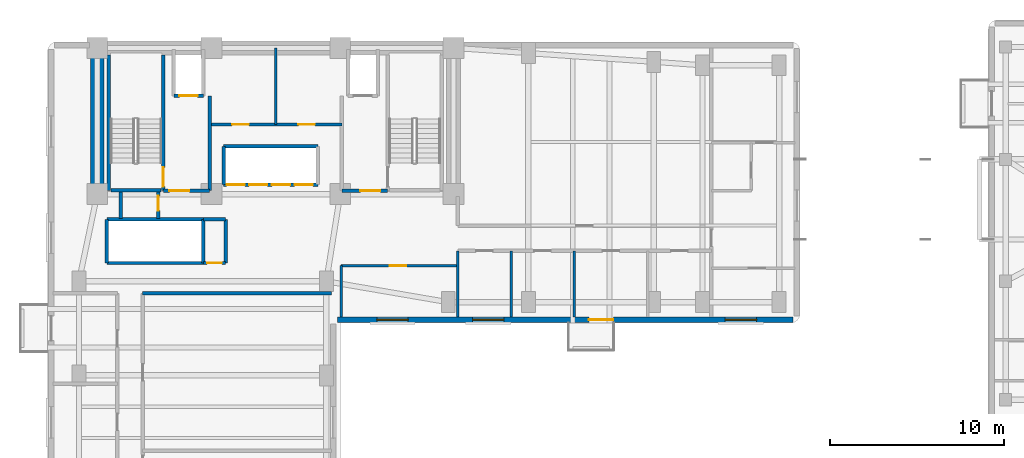
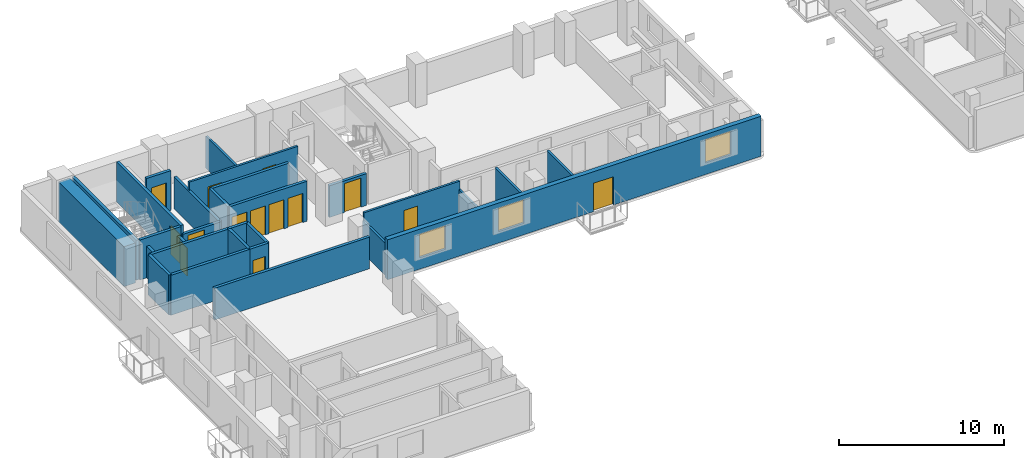
# One storey, part 5 of 11: 29 walls, 14 doors, 3 windows, 17 openings.
"""IFC4 building model written with IfcOpenShell, lengths in metres."""

from ifc_helpers import new_model, si_unit, direction, frame, frame_2d, origin, place, context, subcontext, project, spatial, rectangle, extrude, material, layer, layer_set, type_object, element, fill, save


model = new_model("IFC4")

# Units and contexts
model_context = context("Model", 3, precision=1e-05, world=origin(), true_north=direction((0.0, 1.0)))
body_context = subcontext(model_context, "Body", "Model", "MODEL_VIEW")
ifc_project = project(units=[si_unit("LENGTHUNIT", "METRE"), si_unit("AREAUNIT", "SQUARE_METRE"), si_unit("VOLUMEUNIT", "CUBIC_METRE"), si_unit("PLANEANGLEUNIT", "RADIAN"), si_unit("MASSUNIT", "GRAM", prefix="KILO")], contexts=[model_context])

# Site, building, storey
site_placement = place(None, origin())
site = spatial("IfcSite", under=ifc_project, at=site_placement, CompositionType="ELEMENT")
building_placement = place(site_placement, origin())
building = spatial("IfcBuilding", under=site, at=building_placement, Name="Kuzgunbayir Cultural Tower", CompositionType="ELEMENT")
storey_placement = place(building_placement, frame((0.0, 0.0, 99.39990234375)))
storey = spatial("IfcBuildingStorey", under=building, at=storey_placement, Name="L28", CompositionType="ELEMENT", Elevation=99.39990234375)

# Wall
ifc_material_1 = material(Name="Concrete C60/75", Category="concrete")
ifc_layer_1 = layer(ifc_material_1, 0.800048828125)
ifc_layer_set_1 = layer_set([ifc_layer_1], Name="Concrete C60/75")
wall_type_1 = type_object("IfcWallType", Name="WAL-CORE-800", PredefinedType="SHEAR", material=ifc_layer_set_1)
wall_1_placement = place(storey_placement, frame((6.449951171875, 33.800048828125, 0.0), z_axis=(0.0, 0.0, 1.0), x_axis=(0.0, 1.0, 0.0)))
element("IfcWall", 1, at=wall_1_placement, inside=storey, type_object=wall_type_1, Name="L28 T1 Core West Shear Wall", PredefinedType="SHEAR", context=body_context, shape_type="SweptSolid", body=[
    extrude(rectangle(XDim=7.949951171875, YDim=0.800048828125, at=frame_2d((3.97509765625, 0.0))), origin(), (0.0, 0.0, 1.0), 2.960205078125),
])

# Wall, openings, door, windows
ifc_material_2 = material(Name="Travertine Buff Ashlar", Category="masonry")
ifc_layer_2 = layer(ifc_material_2, 0.320068359375)
ifc_layer_set_2 = layer_set([ifc_layer_2], Name="Travertine Buff Ashlar")
wall_type_2 = type_object("IfcWallType", Name="WAL-EXT-STONE-320", PredefinedType="STANDARD", material=ifc_layer_set_2)
wall_2_placement = place(storey_placement, frame((20.25, 26.60009765625, 0.0), z_axis=(0.0, 0.0, 1.0), x_axis=(1.0, 0.0, 0.0)))
wall_2 = element("IfcWall", 2, at=wall_2_placement, inside=storey, type_object=wall_type_2, Name="L28 Wing B South Limestone Wall", PredefinedType="STANDARD", context=body_context, shape_type="SweptSolid", body=[
    extrude(rectangle(XDim=26.14990234375, YDim=0.320068359375, at=frame_2d((13.074951171875, 0.0))), origin(), (0.0, 0.0, 1.0), 2.960205078125),
])
opening_1_placement = place(wall_2_placement, frame((14.429931640625, 0.0, 0.0)))
opening_1 = element("IfcOpeningElement", 3, at=opening_1_placement, cuts=wall_2, Name="Opening BD-15", PredefinedType="OPENING", context=body_context, shape_type="SweptSolid", body=[
    extrude(rectangle(XDim=1.39990234375, YDim=2.10009765625, at=frame_2d((0.699951171875, 1.050048828125))), frame((0.0, 0.169921875, 0.0), z_axis=(0.0, -1.0, 0.0), x_axis=(1.0, 0.0, 0.0)), (0.0, 0.0, 1.0), 0.340087890625),
])
opening_2_placement = place(wall_2_placement, frame((2.25, 0.0, 0.85009765625)))
opening_2 = element("IfcOpeningElement", 4, at=opening_2_placement, cuts=wall_2, Name="Opening WH-18", PredefinedType="OPENING", context=body_context, shape_type="SweptSolid", body=[
    extrude(rectangle(XDim=1.800048828125, YDim=1.75, at=frame_2d((0.89990234375, 0.875))), frame((0.0, 0.169921875, 0.0), z_axis=(0.0, -1.0, 0.0), x_axis=(1.0, 0.0, 0.0)), (0.0, 0.0, 1.0), 0.340087890625),
])
opening_3_placement = place(wall_2_placement, frame((7.75, 0.0, 0.85009765625)))
opening_3 = element("IfcOpeningElement", 5, at=opening_3_placement, cuts=wall_2, Name="Opening WH-18", PredefinedType="OPENING", context=body_context, shape_type="SweptSolid", body=[
    extrude(rectangle(XDim=1.800048828125, YDim=1.75, at=frame_2d((0.89990234375, 0.875))), frame((0.0, 0.169921875, 0.0), z_axis=(0.0, -1.0, 0.0), x_axis=(1.0, 0.0, 0.0)), (0.0, 0.0, 1.0), 0.340087890625),
])
opening_4_placement = place(wall_2_placement, frame((22.25, 0.0, 0.85009765625)))
opening_4 = element("IfcOpeningElement", 6, at=opening_4_placement, cuts=wall_2, Name="Opening WH-18", PredefinedType="OPENING", context=body_context, shape_type="SweptSolid", body=[
    extrude(rectangle(XDim=1.800048828125, YDim=1.75, at=frame_2d((0.89990234375, 0.875))), frame((0.0, 0.169921875, 0.0), z_axis=(0.0, -1.0, 0.0), x_axis=(1.0, 0.0, 0.0)), (0.0, 0.0, 1.0), 0.340087890625),
])
ifc_material_3 = material(Name="Thermally Broken Glazed Aluminium", Category="aluminium")
door_type_1 = type_object("IfcDoorType", Name="DR-BALCONY-150", OperationType="SLIDING_TO_RIGHT", PredefinedType="DOOR", material=ifc_material_3)
door_1_placement = place(opening_1_placement, origin())
door_1 = element("IfcDoor", 7, at=door_1_placement, inside=storey, type_object=door_type_1, Name="L28 South Balcony Sliding Door BAL-L28-WB2", OperationType="SLIDING_TO_RIGHT", OverallHeight=2.10009765625, OverallWidth=1.39990234375, PredefinedType="DOOR", context=body_context, shape_type="SweptSolid", body=[
    extrude(rectangle(XDim=1.39990234375, YDim=2.10009765625, at=frame_2d((0.699951171875, 1.050048828125))), frame((0.0, 0.02490234375, 0.0), z_axis=(0.0, -1.0, 0.0), x_axis=(1.0, 0.0, 0.0)), (0.0, 0.0, 1.0), 0.050048828125),
])
fill(opening_1, door_1)
ifc_material_4 = material(Name="Solar-Control Triple Glazing", Category="glass")
window_type = type_object("IfcWindowType", Name="WIN-HOTEL-18", PartitioningType="SINGLE_PANEL", PredefinedType="WINDOW", material=ifc_material_4)
window_1_placement = place(opening_2_placement, origin())
window_1 = element("IfcWindow", 8, at=window_1_placement, inside=storey, type_object=window_type, Name="L28 WBS Facade Window 11", OverallHeight=1.75, OverallWidth=1.800048828125, PartitioningType="SINGLE_PANEL", PredefinedType="WINDOW", context=body_context, shape_type="SweptSolid", body=[
    extrude(rectangle(XDim=1.800048828125, YDim=1.75, at=frame_2d((0.89990234375, 0.875))), frame((0.0, 0.030029296875, 0.0), z_axis=(0.0, -1.0, 0.0), x_axis=(1.0, 0.0, 0.0)), (0.0, 0.0, 1.0), 0.06005859375),
])
fill(opening_2, window_1)
window_2_placement = place(opening_3_placement, origin())
window_2 = element("IfcWindow", 9, at=window_2_placement, inside=storey, type_object=window_type, Name="L28 WBS Facade Window 12", OverallHeight=1.75, OverallWidth=1.800048828125, PartitioningType="SINGLE_PANEL", PredefinedType="WINDOW", context=body_context, shape_type="SweptSolid", body=[
    extrude(rectangle(XDim=1.800048828125, YDim=1.75, at=frame_2d((0.89990234375, 0.875))), frame((0.0, 0.030029296875, 0.0), z_axis=(0.0, -1.0, 0.0), x_axis=(1.0, 0.0, 0.0)), (0.0, 0.0, 1.0), 0.06005859375),
])
fill(opening_3, window_2)
window_3_placement = place(opening_4_placement, origin())
window_3 = element("IfcWindow", 10, at=window_3_placement, inside=storey, type_object=window_type, Name="L28 WBS Facade Window 13", OverallHeight=1.75, OverallWidth=1.800048828125, PartitioningType="SINGLE_PANEL", PredefinedType="WINDOW", context=body_context, shape_type="SweptSolid", body=[
    extrude(rectangle(XDim=1.800048828125, YDim=1.75, at=frame_2d((0.89990234375, 0.875))), frame((0.0, 0.030029296875, 0.0), z_axis=(0.0, -1.0, 0.0), x_axis=(1.0, 0.0, 0.0)), (0.0, 0.0, 1.0), 0.06005859375),
])
fill(opening_4, window_3)

# Wall, openings, doors
ifc_material_5 = material(Name="Acoustic Double-Stud Drywall", Category="gypsum")
ifc_layer_3 = layer(ifc_material_5, 0.14990234375)
ifc_layer_set_3 = layer_set([ifc_layer_3], Name="Acoustic Double-Stud Drywall")
wall_type_3 = type_object("IfcWallType", Name="WAL-PART-ACOUSTIC-150", PredefinedType="PARTITIONING", material=ifc_layer_set_3)
wall_3_placement = place(storey_placement, frame((12.89990234375, 37.800048828125, 0.0), z_axis=(0.0, 0.0, 1.0), x_axis=(1.0, 0.0, 0.0)))
wall_3 = element("IfcWall", 11, at=wall_3_placement, inside=storey, type_object=wall_type_3, Name="L28 Repurposed Core Suite Wall", PredefinedType="PARTITIONING", context=body_context, shape_type="SweptSolid", body=[
    extrude(rectangle(XDim=7.60009765625, YDim=0.14990234375, at=frame_2d((3.800048828125, 0.0))), origin(), (0.0, 0.0, 1.0), 2.960205078125),
])
opening_5_placement = place(wall_3_placement, frame((1.300048828125, 0.0, 0.0)))
opening_5 = element("IfcOpeningElement", 12, at=opening_5_placement, cuts=wall_3, Name="Opening DC-95", PredefinedType="OPENING", context=body_context, shape_type="SweptSolid", body=[
    extrude(rectangle(XDim=0.949951171875, YDim=2.14990234375, at=frame_2d((0.47509765625, 1.074951171875))), frame((0.0, 0.0849609375, 0.0), z_axis=(0.0, -1.0, 0.0), x_axis=(1.0, 0.0, 0.0)), (0.0, 0.0, 1.0), 0.169921875),
])
opening_6_placement = place(wall_3_placement, frame((5.10009765625, 0.0, 0.0)))
opening_6 = element("IfcOpeningElement", 13, at=opening_6_placement, cuts=wall_3, Name="Opening DC-95", PredefinedType="OPENING", context=body_context, shape_type="SweptSolid", body=[
    extrude(rectangle(XDim=0.949951171875, YDim=2.14990234375, at=frame_2d((0.47509765625, 1.074951171875))), frame((0.0, 0.0849609375, 0.0), z_axis=(0.0, -1.0, 0.0), x_axis=(1.0, 0.0, 0.0)), (0.0, 0.0, 1.0), 0.169921875),
])
ifc_material_6 = material(Name="Fire-Rated Veneered Oak Leaf", Category="wood")
door_type_2 = type_object("IfcDoorType", Name="DR-CORE-95", OperationType="NOTDEFINED", PredefinedType="DOOR", material=ifc_material_6)
door_2_placement = place(opening_5_placement, origin())
door_2 = element("IfcDoor", 14, at=door_2_placement, inside=storey, type_object=door_type_2, Name="L28 Focus Room Door", OperationType="SINGLE_SWING_LEFT", OverallHeight=2.14990234375, OverallWidth=0.949951171875, PredefinedType="DOOR", context=body_context, shape_type="SweptSolid", body=[
    extrude(rectangle(XDim=0.949951171875, YDim=2.14990234375, at=frame_2d((0.47509765625, 1.074951171875))), frame((0.0, 0.02490234375, 0.0), z_axis=(0.0, -1.0, 0.0), x_axis=(1.0, 0.0, 0.0)), (0.0, 0.0, 1.0), 0.050048828125),
])
fill(opening_5, door_2)
door_3_placement = place(opening_6_placement, origin())
door_3 = element("IfcDoor", 15, at=door_3_placement, inside=storey, type_object=door_type_2, Name="L28 Core Linen Room Door", OperationType="SINGLE_SWING_RIGHT", OverallHeight=2.14990234375, OverallWidth=0.949951171875, PredefinedType="DOOR", context=body_context, shape_type="SweptSolid", body=[
    extrude(rectangle(XDim=0.949951171875, YDim=2.14990234375, at=frame_2d((0.47509765625, 1.074951171875))), frame((0.0, 0.02490234375, 0.0), z_axis=(0.0, -1.0, 0.0), x_axis=(1.0, 0.0, 0.0)), (0.0, 0.0, 1.0), 0.050048828125),
])
fill(opening_6, door_3)

# Wall
wall_4_placement = place(storey_placement, frame((16.699951171875, 37.800048828125, 0.0), z_axis=(0.0, 0.0, 1.0), x_axis=(0.0, 1.0, 0.0)))
element("IfcWall", 16, at=wall_4_placement, inside=storey, type_object=wall_type_3, Name="L28 Core Study Partition", PredefinedType="PARTITIONING", context=body_context, shape_type="SweptSolid", body=[
    extrude(rectangle(XDim=4.39990234375, YDim=0.14990234375, at=frame_2d((2.199951171875, 0.0))), origin(), (0.0, 0.0, 1.0), 2.35009765625),
])

# Wall, opening, door
wall_5_placement = place(storey_placement, frame((20.449951171875, 29.699951171875, 0.0), z_axis=(0.0, 0.0, 1.0), x_axis=(1.0, 0.0, 0.0)))
wall_5 = element("IfcWall", 17, at=wall_5_placement, inside=storey, type_object=wall_type_3, Name="L28 Waist Alcove North Wall", PredefinedType="PARTITIONING", context=body_context, shape_type="SweptSolid", body=[
    extrude(rectangle(XDim=6.699951171875, YDim=0.14990234375, at=frame_2d((3.35009765625, 0.0))), origin(), (0.0, 0.0, 1.0), 2.960205078125),
])
opening_7_placement = place(wall_5_placement, frame((2.800048828125, 0.0, 0.0)))
opening_7 = element("IfcOpeningElement", 18, at=opening_7_placement, cuts=wall_5, Name="Opening DI-90", PredefinedType="OPENING", context=body_context, shape_type="SweptSolid", body=[
    extrude(rectangle(XDim=0.949951171875, YDim=2.14990234375, at=frame_2d((0.47509765625, 1.074951171875))), frame((0.0, 0.0849609375, 0.0), z_axis=(0.0, -1.0, 0.0), x_axis=(1.0, 0.0, 0.0)), (0.0, 0.0, 1.0), 0.169921875),
])
ifc_material_7 = material(Name="Veneered Oak Single Leaf", Category="wood")
door_type_3 = type_object("IfcDoorType", Name="DR-INT-90", OperationType="NOTDEFINED", PredefinedType="DOOR", material=ifc_material_7)
door_4_placement = place(opening_7_placement, origin())
door_4 = element("IfcDoor", 19, at=door_4_placement, inside=storey, type_object=door_type_3, Name="L28 Waist Alcove Door", OperationType="SINGLE_SWING_RIGHT", OverallHeight=2.14990234375, OverallWidth=0.949951171875, PredefinedType="DOOR", context=body_context, shape_type="SweptSolid", body=[
    extrude(rectangle(XDim=0.949951171875, YDim=2.14990234375, at=frame_2d((0.47509765625, 1.074951171875))), frame((0.0, 0.02490234375, 0.0), z_axis=(0.0, -1.0, 0.0), x_axis=(1.0, 0.0, 0.0)), (0.0, 0.0, 1.0), 0.050048828125),
])
fill(opening_7, door_4)

# Walls
wall_6_placement = place(storey_placement, frame((20.449951171875, 26.75, 0.0), z_axis=(0.0, 0.0, 1.0), x_axis=(0.0, 1.0, 0.0)))
element("IfcWall", 20, at=wall_6_placement, inside=storey, type_object=wall_type_3, Name="L28 Waist Alcove West Wall", PredefinedType="PARTITIONING", context=body_context, shape_type="SweptSolid", body=[
    extrude(rectangle(XDim=2.949951171875, YDim=0.14990234375, at=frame_2d((1.47509765625, 0.0))), origin(), (0.0, 0.0, 1.0), 2.35009765625),
])
for number, where, z_axis, x_axis, name in (
    (21, (27.14990234375, 26.75, 0.0), (0.0, 0.0, 1.0), (0.0, 1.0, 0.0), "L28 Waist Alcove East Wall"),
    (22, (30.2099609375, 26.75, 0.0), (0.0, 0.0, 1.0), (0.0, 1.0, 0.0), "L28 Wing B South Divider 1"),
    (23, (33.840087890625, 26.75, 0.0), (0.0, 0.0, 1.0), (0.0, 1.0, 0.0), "L28 Wing B South Divider 2"),
):
    element("IfcWall", number, at=place(storey_placement, frame(where, z_axis=z_axis, x_axis=x_axis)), inside=storey, type_object=wall_type_3, Name=name, PredefinedType="PARTITIONING", context=body_context, shape_type="SweptSolid", body=[
        extrude(rectangle(XDim=3.800048828125, YDim=0.14990234375, at=frame_2d((1.89990234375, 0.0))), origin(), (0.0, 0.0, 1.0), 2.35009765625),
    ])
ifc_material_8 = material(Name="Aerated Concrete Blockwork", Category="masonry")
ifc_layer_4 = layer(ifc_material_8, 0.199951171875)
ifc_layer_set_4 = layer_set([ifc_layer_4], Name="Aerated Concrete Blockwork")
wall_type_4 = type_object("IfcWallType", Name="WAL-PART-FIRE-200", PredefinedType="PARTITIONING", material=ifc_layer_set_4)
wall_7_placement = place(storey_placement, frame((12.89990234375, 34.0, 0.0), z_axis=(0.0, 0.0, 1.0), x_axis=(0.0, 1.0, 0.0)))
element("IfcWall", 24, at=wall_7_placement, inside=storey, type_object=wall_type_4, Name="L28 FFL-1 Lobby East Fire Wall", PredefinedType="PARTITIONING", context=body_context, shape_type="SweptSolid", body=[
    extrude(rectangle(XDim=5.449951171875, YDim=0.199951171875, at=frame_2d((2.72509765625, 0.0))), origin(), (0.0, 0.0, 1.0), 2.35009765625),
])

# Wall, opening, door
wall_8_placement = place(storey_placement, frame((10.239990234375, 34.0, 0.0), z_axis=(0.0, 0.0, 1.0), x_axis=(1.0, 0.0, 0.0)))
wall_8 = element("IfcWall", 25, at=wall_8_placement, inside=storey, type_object=wall_type_4, Name="L28 FFL-1 Lobby South Fire Wall", PredefinedType="PARTITIONING", context=body_context, shape_type="SweptSolid", body=[
    extrude(rectangle(XDim=2.659912109375, YDim=0.199951171875, at=frame_2d((1.330078125, 0.0))), origin(), (0.0, 0.0, 1.0), 2.35009765625),
])
opening_8_placement = place(wall_8_placement, frame((0.35009765625, 0.0, 0.0)))
opening_8 = element("IfcOpeningElement", 26, at=opening_8_placement, cuts=wall_8, Name="Opening DR-FFL-90", PredefinedType="OPENING", context=body_context, shape_type="SweptSolid", body=[
    extrude(rectangle(XDim=1.14990234375, YDim=2.14990234375, at=frame_2d((0.574951171875, 1.074951171875))), frame((0.0, 0.10986328125, 0.0), z_axis=(0.0, -1.0, 0.0), x_axis=(1.0, 0.0, 0.0)), (0.0, 0.0, 1.0), 0.219970703125),
])
ifc_material_9 = material(Name="Steel S355J2", Category="steel")
door_type_4 = type_object("IfcDoorType", Name="DR-FFL-90", OperationType="NOTDEFINED", PredefinedType="DOOR", material=ifc_material_9)
door_5_placement = place(opening_8_placement, origin())
door_5 = element("IfcDoor", 27, at=door_5_placement, inside=storey, type_object=door_type_4, Name="L28 Firefighting Lobby 1 Door", OperationType="SINGLE_SWING_LEFT", OverallHeight=2.14990234375, OverallWidth=1.14990234375, PredefinedType="DOOR", context=body_context, shape_type="SweptSolid", body=[
    extrude(rectangle(XDim=1.14990234375, YDim=2.14990234375, at=frame_2d((0.574951171875, 1.074951171875))), frame((0.0, 0.02490234375, 0.0), z_axis=(0.0, -1.0, 0.0), x_axis=(1.0, 0.0, 0.0)), (0.0, 0.0, 1.0), 0.050048828125),
])
fill(opening_8, door_5)

wall_9_placement = place(storey_placement, frame((20.5, 34.0, 0.0), z_axis=(0.0, 0.0, 1.0), x_axis=(1.0, 0.0, 0.0)))
wall_9 = element("IfcWall", 28, at=wall_9_placement, inside=storey, type_object=wall_type_4, Name="L28 FFL-2 Lobby South Fire Wall", PredefinedType="PARTITIONING", context=body_context, shape_type="SweptSolid", body=[
    extrude(rectangle(XDim=2.60009765625, YDim=0.199951171875, at=frame_2d((1.300048828125, 0.0))), origin(), (0.0, 0.0, 1.0), 2.35009765625),
])
opening_9_placement = place(wall_9_placement, frame((1.050048828125, 0.0, 0.0)))
opening_9 = element("IfcOpeningElement", 29, at=opening_9_placement, cuts=wall_9, Name="Opening DR-FFL-90", PredefinedType="OPENING", context=body_context, shape_type="SweptSolid", body=[
    extrude(rectangle(XDim=1.14990234375, YDim=2.14990234375, at=frame_2d((0.574951171875, 1.074951171875))), frame((0.0, 0.10986328125, 0.0), z_axis=(0.0, -1.0, 0.0), x_axis=(1.0, 0.0, 0.0)), (0.0, 0.0, 1.0), 0.219970703125),
])
door_6_placement = place(opening_9_placement, origin())
door_6 = element("IfcDoor", 30, at=door_6_placement, inside=storey, type_object=door_type_4, Name="L28 Firefighting Lobby 2 Door", OperationType="SINGLE_SWING_RIGHT", OverallHeight=2.14990234375, OverallWidth=1.14990234375, PredefinedType="DOOR", context=body_context, shape_type="SweptSolid", body=[
    extrude(rectangle(XDim=1.14990234375, YDim=2.14990234375, at=frame_2d((0.574951171875, 1.074951171875))), frame((0.0, 0.02490234375, 0.0), z_axis=(0.0, -1.0, 0.0), x_axis=(1.0, 0.0, 0.0)), (0.0, 0.0, 1.0), 0.050048828125),
])
fill(opening_9, door_6)

wall_10_placement = place(storey_placement, frame((12.550048828125, 29.85009765625, 0.0), z_axis=(0.0, 0.0, 1.0), x_axis=(1.0, 0.0, 0.0)))
wall_10 = element("IfcWall", 31, at=wall_10_placement, inside=storey, type_object=wall_type_4, Name="L28 Center Core Switchgear South Wall", PredefinedType="PARTITIONING", context=body_context, shape_type="SweptSolid", body=[
    extrude(rectangle(XDim=1.27001953125, YDim=0.199951171875, at=frame_2d((0.635009765625, 0.0))), origin(), (0.0, 0.0, 1.0), 2.960205078125),
])
opening_10_placement = place(wall_10_placement, frame((0.2099609375, 0.0, 0.0)))
opening_10 = element("IfcOpeningElement", 32, at=opening_10_placement, cuts=wall_10, Name="Opening DR-RSR-60", PredefinedType="OPENING", context=body_context, shape_type="SweptSolid", body=[
    extrude(rectangle(XDim=0.85009765625, YDim=2.050048828125, at=frame_2d((0.425048828125, 1.02490234375))), frame((0.0, 0.10986328125, 0.0), z_axis=(0.0, -1.0, 0.0), x_axis=(1.0, 0.0, 0.0)), (0.0, 0.0, 1.0), 0.219970703125),
])
ifc_material_10 = material(Name="Steel Access Leaf", Category="steel")
door_type_5 = type_object("IfcDoorType", Name="DR-RISER-60", OperationType="NOTDEFINED", PredefinedType="DOOR", material=ifc_material_10)
door_7_placement = place(opening_10_placement, origin())
door_7 = element("IfcDoor", 33, at=door_7_placement, inside=storey, type_object=door_type_5, Name="L28 Electrical Switchgear Closet Door", OperationType="SINGLE_SWING_LEFT", OverallHeight=2.050048828125, OverallWidth=0.85009765625, PredefinedType="DOOR", context=body_context, shape_type="SweptSolid", body=[
    extrude(rectangle(XDim=0.85009765625, YDim=2.050048828125, at=frame_2d((0.425048828125, 1.02490234375))), frame((0.0, 0.02490234375, 0.0), z_axis=(0.0, -1.0, 0.0), x_axis=(1.0, 0.0, 0.0)), (0.0, 0.0, 1.0), 0.050048828125),
])
fill(opening_10, door_7)

# Walls
wall_11_placement = place(storey_placement, frame((13.820068359375, 29.85009765625, 0.0), z_axis=(0.0, 0.0, 1.0), x_axis=(0.0, 1.0, 0.0)))
element("IfcWall", 34, at=wall_11_placement, inside=storey, type_object=wall_type_4, Name="L28 Center Core Switchgear East Wall", PredefinedType="PARTITIONING", context=body_context, shape_type="SweptSolid", body=[
    extrude(rectangle(XDim=2.5, YDim=0.199951171875, at=frame_2d((1.25, 0.0))), origin(), (0.0, 0.0, 1.0), 2.960205078125),
])
wall_12_placement = place(storey_placement, frame((12.550048828125, 32.35009765625, 0.0), z_axis=(0.0, 0.0, 1.0), x_axis=(1.0, 0.0, 0.0)))
element("IfcWall", 35, at=wall_12_placement, inside=storey, type_object=wall_type_4, Name="L28 Center Core Switchgear North Wall", PredefinedType="PARTITIONING", context=body_context, shape_type="SweptSolid", body=[
    extrude(rectangle(XDim=1.27001953125, YDim=0.199951171875, at=frame_2d((0.635009765625, 0.0))), origin(), (0.0, 0.0, 1.0), 2.960205078125),
])
wall_13_placement = place(storey_placement, frame((7.800048828125, 32.39990234375, 0.0), z_axis=(0.0, 0.0, 1.0), x_axis=(0.0, 1.0, 0.0)))
element("IfcWall", 36, at=wall_13_placement, inside=storey, type_object=wall_type_4, Name="L28 West Core Electrical Closet West Wall", PredefinedType="PARTITIONING", context=body_context, shape_type="SweptSolid", body=[
    extrude(rectangle(XDim=1.52001953125, YDim=0.199951171875, at=frame_2d((0.760009765625, 0.0))), origin(), (0.0, 0.0, 1.0), 2.35009765625),
])

# Wall, opening, door
wall_14_placement = place(storey_placement, frame((9.949951171875, 32.39990234375, 0.0), z_axis=(0.0, 0.0, 1.0), x_axis=(0.0, 1.0, 0.0)))
wall_14 = element("IfcWall", 37, at=wall_14_placement, inside=storey, type_object=wall_type_4, Name="L28 West Core Electrical Closet East Wall", PredefinedType="PARTITIONING", context=body_context, shape_type="SweptSolid", body=[
    extrude(rectangle(XDim=1.52001953125, YDim=0.199951171875, at=frame_2d((0.760009765625, 0.0))), origin(), (0.0, 0.0, 1.0), 2.35009765625),
])
opening_11_placement = place(wall_14_placement, frame((0.449951171875, 0.0, 0.0)))
opening_11 = element("IfcOpeningElement", 38, at=opening_11_placement, cuts=wall_14, Name="Opening DR-RSR-60", PredefinedType="OPENING", context=body_context, shape_type="SweptSolid", body=[
    extrude(rectangle(XDim=0.85009765625, YDim=2.050048828125, at=frame_2d((0.425048828125, 1.02490234375))), frame((0.0, 0.10986328125, 0.0), z_axis=(0.0, -1.0, 0.0), x_axis=(1.0, 0.0, 0.0)), (0.0, 0.0, 1.0), 0.219970703125),
])
door_8_placement = place(opening_11_placement, origin())
door_8 = element("IfcDoor", 39, at=door_8_placement, inside=storey, type_object=door_type_5, Name="L28 West Core Switchgear Closet Door", OperationType="SINGLE_SWING_RIGHT", OverallHeight=2.050048828125, OverallWidth=0.85009765625, PredefinedType="DOOR", context=body_context, shape_type="SweptSolid", body=[
    extrude(rectangle(XDim=0.85009765625, YDim=2.050048828125, at=frame_2d((0.425048828125, 1.02490234375))), frame((0.0, 0.02490234375, 0.0), z_axis=(0.0, -1.0, 0.0), x_axis=(1.0, 0.0, 0.0)), (0.0, 0.0, 1.0), 0.050048828125),
])
fill(opening_11, door_8)

# Walls
wall_15_placement = place(storey_placement, frame((9.06005859375, 28.10009765625, 0.0), z_axis=(0.0, 0.0, 1.0), x_axis=(1.0, 0.0, 0.0)))
element("IfcWall", 40, at=wall_15_placement, inside=storey, type_object=wall_type_4, Name="L28 North East Partition", PredefinedType="PARTITIONING", context=body_context, shape_type="SweptSolid", body=[
    extrude(rectangle(XDim=10.83984375, YDim=0.199951171875, at=frame_2d((5.419921875, 0.0))), origin(), (0.0, 0.0, 1.0), 2.35009765625),
])
ifc_material_11 = material(Name="Concrete C40/50", Category="concrete")
ifc_layer_5 = layer(ifc_material_11, 0.199951171875)
ifc_layer_set_5 = layer_set([ifc_layer_5], Name="Concrete C40/50")
wall_type_5 = type_object("IfcWallType", Name="WAL-SHAFT-200", PredefinedType="MOVABLE", material=ifc_layer_set_5)
for number, where, z_axis, x_axis, name in (
    (41, (7.0, 29.85009765625, 0.0), (0.0, 0.0, 1.0), (1.0, 0.0, 0.0), "L28 High-Rise Lift Shaft South Wall"),
    (42, (7.0, 32.35009765625, 0.0), (0.0, 0.0, 1.0), (1.0, 0.0, 0.0), "L28 High-Rise Lift Shaft North Wall"),
):
    element("IfcWall", number, at=place(storey_placement, frame(where, z_axis=z_axis, x_axis=x_axis)), inside=storey, type_object=wall_type_5, Name=name, PredefinedType="MOVABLE", context=body_context, shape_type="SweptSolid", body=[
        extrude(rectangle(XDim=5.550048828125, YDim=0.199951171875, at=frame_2d((2.77490234375, 0.0))), origin(), (0.0, 0.0, 1.0), 2.960205078125),
    ])
for number, where, z_axis, x_axis, name in (
    (43, (7.0, 29.85009765625, 0.0), (0.0, 0.0, 1.0), (0.0, 1.0, 0.0), "L28 High-Rise Lift Shaft West Wall"),
    (44, (12.550048828125, 29.85009765625, 0.0), (0.0, 0.0, 1.0), (0.0, 1.0, 0.0), "L28 High-Rise Lift Shaft East Wall"),
):
    element("IfcWall", number, at=place(storey_placement, frame(where, z_axis=z_axis, x_axis=x_axis)), inside=storey, type_object=wall_type_5, Name=name, PredefinedType="MOVABLE", context=body_context, shape_type="SweptSolid", body=[
        extrude(rectangle(XDim=2.5, YDim=0.199951171875, at=frame_2d((1.25, 0.0))), origin(), (0.0, 0.0, 1.0), 2.960205078125),
    ])

# Wall, opening, door
wall_16_placement = place(storey_placement, frame((10.85009765625, 39.449951171875, 0.0), z_axis=(0.0, 0.0, 1.0), x_axis=(1.0, 0.0, 0.0)))
wall_16 = element("IfcWall", 45, at=wall_16_placement, inside=storey, type_object=wall_type_5, Name="L28 FFL-1 Lift Front Wall", PredefinedType="MOVABLE", context=body_context, shape_type="SweptSolid", body=[
    extrude(rectangle(XDim=1.699951171875, YDim=0.199951171875, at=frame_2d((0.85009765625, 0.0))), origin(), (0.0, 0.0, 1.0), 2.960205078125),
])
opening_12_placement = place(wall_16_placement, frame((0.320068359375, 0.0, 0.0)))
opening_12 = element("IfcOpeningElement", 46, at=opening_12_placement, cuts=wall_16, Name="Opening LD", PredefinedType="OPENING", context=body_context, shape_type="SweptSolid", body=[
    extrude(rectangle(XDim=1.050048828125, YDim=2.14990234375, at=frame_2d((0.52490234375, 1.074951171875))), frame((0.0, 0.10986328125, 0.0), z_axis=(0.0, -1.0, 0.0), x_axis=(1.0, 0.0, 0.0)), (0.0, 0.0, 1.0), 0.219970703125),
])
ifc_material_12 = material(Name="Brushed Stainless Steel", Category="steel")
door_type_6 = type_object("IfcDoorType", Name="DR-LIFT-LANDING", OperationType="SLIDING_TO_LEFT", PredefinedType="DOOR", material=ifc_material_12)
door_9_placement = place(opening_12_placement, origin())
door_9 = element("IfcDoor", 47, at=door_9_placement, inside=storey, type_object=door_type_6, Name="L28 Lift FFL-1 Landing Door", OperationType="SLIDING_TO_LEFT", OverallHeight=2.14990234375, OverallWidth=1.050048828125, PredefinedType="DOOR", context=body_context, shape_type="SweptSolid", body=[
    extrude(rectangle(XDim=1.050048828125, YDim=2.14990234375, at=frame_2d((0.52490234375, 1.074951171875))), frame((0.0, 0.02490234375, 0.0), z_axis=(0.0, -1.0, 0.0), x_axis=(1.0, 0.0, 0.0)), (0.0, 0.0, 1.0), 0.050048828125),
])
fill(opening_12, door_9)

# Wall, openings, doors
wall_17_placement = place(storey_placement, frame((13.699951171875, 34.35009765625, 0.0), z_axis=(0.0, 0.0, 1.0), x_axis=(1.0, 0.0, 0.0)))
wall_17 = element("IfcWall", 48, at=wall_17_placement, inside=storey, type_object=wall_type_5, Name="L28 Mid-Rise Lift Front Wall", PredefinedType="MOVABLE", context=body_context, shape_type="SweptSolid", body=[
    extrude(rectangle(XDim=5.420166015625, YDim=0.199951171875, at=frame_2d((2.7099609375, 0.0))), origin(), (0.0, 0.0, 1.0), 2.960205078125),
])
opening_13_placement = place(wall_17_placement, frame((0.179931640625, 0.0, 0.0)))
opening_13 = element("IfcOpeningElement", 49, at=opening_13_placement, cuts=wall_17, Name="Opening LD", PredefinedType="OPENING", context=body_context, shape_type="SweptSolid", body=[
    extrude(rectangle(XDim=1.050048828125, YDim=2.14990234375, at=frame_2d((0.52490234375, 1.074951171875))), frame((0.0, 0.10986328125, 0.0), z_axis=(0.0, -1.0, 0.0), x_axis=(1.0, 0.0, 0.0)), (0.0, 0.0, 1.0), 0.219970703125),
])
opening_14_placement = place(wall_17_placement, frame((1.469970703125, 0.0, 0.0)))
opening_14 = element("IfcOpeningElement", 50, at=opening_14_placement, cuts=wall_17, Name="Opening LD", PredefinedType="OPENING", context=body_context, shape_type="SweptSolid", body=[
    extrude(rectangle(XDim=1.050048828125, YDim=2.14990234375, at=frame_2d((0.52490234375, 1.074951171875))), frame((0.0, 0.10986328125, 0.0), z_axis=(0.0, -1.0, 0.0), x_axis=(1.0, 0.0, 0.0)), (0.0, 0.0, 1.0), 0.219970703125),
])
opening_15_placement = place(wall_17_placement, frame((2.780029296875, 0.0, 0.0)))
opening_15 = element("IfcOpeningElement", 51, at=opening_15_placement, cuts=wall_17, Name="Opening LD", PredefinedType="OPENING", context=body_context, shape_type="SweptSolid", body=[
    extrude(rectangle(XDim=1.050048828125, YDim=2.14990234375, at=frame_2d((0.52490234375, 1.074951171875))), frame((0.0, 0.10986328125, 0.0), z_axis=(0.0, -1.0, 0.0), x_axis=(1.0, 0.0, 0.0)), (0.0, 0.0, 1.0), 0.219970703125),
])
opening_16_placement = place(wall_17_placement, frame((4.080078125, 0.0, 0.0)))
opening_16 = element("IfcOpeningElement", 52, at=opening_16_placement, cuts=wall_17, Name="Opening LD", PredefinedType="OPENING", context=body_context, shape_type="SweptSolid", body=[
    extrude(rectangle(XDim=1.050048828125, YDim=2.14990234375, at=frame_2d((0.52490234375, 1.074951171875))), frame((0.0, 0.10986328125, 0.0), z_axis=(0.0, -1.0, 0.0), x_axis=(1.0, 0.0, 0.0)), (0.0, 0.0, 1.0), 0.219970703125),
])
door_10_placement = place(opening_13_placement, origin())
door_10 = element("IfcDoor", 53, at=door_10_placement, inside=storey, type_object=door_type_6, Name="L28 Lift PM-1 Landing Door", OperationType="SLIDING_TO_LEFT", OverallHeight=2.14990234375, OverallWidth=1.050048828125, PredefinedType="DOOR", context=body_context, shape_type="SweptSolid", body=[
    extrude(rectangle(XDim=1.050048828125, YDim=2.14990234375, at=frame_2d((0.52490234375, 1.074951171875))), frame((0.0, 0.02490234375, 0.0), z_axis=(0.0, -1.0, 0.0), x_axis=(1.0, 0.0, 0.0)), (0.0, 0.0, 1.0), 0.050048828125),
])
fill(opening_13, door_10)
door_11_placement = place(opening_14_placement, origin())
door_11 = element("IfcDoor", 54, at=door_11_placement, inside=storey, type_object=door_type_6, Name="L28 Lift PM-2 Landing Door", OperationType="SLIDING_TO_LEFT", OverallHeight=2.14990234375, OverallWidth=1.050048828125, PredefinedType="DOOR", context=body_context, shape_type="SweptSolid", body=[
    extrude(rectangle(XDim=1.050048828125, YDim=2.14990234375, at=frame_2d((0.52490234375, 1.074951171875))), frame((0.0, 0.02490234375, 0.0), z_axis=(0.0, -1.0, 0.0), x_axis=(1.0, 0.0, 0.0)), (0.0, 0.0, 1.0), 0.050048828125),
])
fill(opening_14, door_11)
door_12_placement = place(opening_15_placement, origin())
door_12 = element("IfcDoor", 55, at=door_12_placement, inside=storey, type_object=door_type_6, Name="L28 Lift PM-3 Landing Door", OperationType="SLIDING_TO_LEFT", OverallHeight=2.14990234375, OverallWidth=1.050048828125, PredefinedType="DOOR", context=body_context, shape_type="SweptSolid", body=[
    extrude(rectangle(XDim=1.050048828125, YDim=2.14990234375, at=frame_2d((0.52490234375, 1.074951171875))), frame((0.0, 0.02490234375, 0.0), z_axis=(0.0, -1.0, 0.0), x_axis=(1.0, 0.0, 0.0)), (0.0, 0.0, 1.0), 0.050048828125),
])
fill(opening_15, door_12)
door_13_placement = place(opening_16_placement, origin())
door_13 = element("IfcDoor", 56, at=door_13_placement, inside=storey, type_object=door_type_6, Name="L28 Lift PM-4 Landing Door", OperationType="SLIDING_TO_LEFT", OverallHeight=2.14990234375, OverallWidth=1.050048828125, PredefinedType="DOOR", context=body_context, shape_type="SweptSolid", body=[
    extrude(rectangle(XDim=1.050048828125, YDim=2.14990234375, at=frame_2d((0.52490234375, 1.074951171875))), frame((0.0, 0.02490234375, 0.0), z_axis=(0.0, -1.0, 0.0), x_axis=(1.0, 0.0, 0.0)), (0.0, 0.0, 1.0), 0.050048828125),
])
fill(opening_16, door_13)

# Walls
wall_18_placement = place(storey_placement, frame((13.699951171875, 36.550048828125, 0.0), z_axis=(0.0, 0.0, 1.0), x_axis=(1.0, 0.0, 0.0)))
element("IfcWall", 57, at=wall_18_placement, inside=storey, type_object=wall_type_5, Name="L28 Mid-Rise Lift Shaft North Wall", PredefinedType="MOVABLE", context=body_context, shape_type="SweptSolid", body=[
    extrude(rectangle(XDim=5.420166015625, YDim=0.199951171875, at=frame_2d((2.7099609375, 0.0))), origin(), (0.0, 0.0, 1.0), 2.960205078125),
])
wall_19_placement = place(storey_placement, frame((13.699951171875, 34.35009765625, 0.0), z_axis=(0.0, 0.0, 1.0), x_axis=(0.0, 1.0, 0.0)))
element("IfcWall", 58, at=wall_19_placement, inside=storey, type_object=wall_type_5, Name="L28 Mid-Rise Lift Shaft West Wall", PredefinedType="MOVABLE", context=body_context, shape_type="SweptSolid", body=[
    extrude(rectangle(XDim=2.199951171875, YDim=0.199951171875, at=frame_2d((1.10009765625, 0.0))), origin(), (0.0, 0.0, 1.0), 2.960205078125),
])
ifc_layer_6 = layer(ifc_material_11, 0.199951171875)
ifc_layer_set_6 = layer_set([ifc_layer_6], Name="Concrete C40/50")
wall_type_6 = type_object("IfcWallType", Name="WAL-STAIR-RC-200", PredefinedType="SHEAR", material=ifc_layer_set_6)
wall_20_placement = place(storey_placement, frame((7.1201171875, 34.02001953125, 0.0), z_axis=(0.0, 0.0, 1.0), x_axis=(0.0, 1.0, 0.0)))
element("IfcWall", 59, at=wall_20_placement, inside=storey, type_object=wall_type_6, Name="L28 Stair ST-1 West Structural Wall", PredefinedType="SHEAR", context=body_context, shape_type="SweptSolid", body=[
    extrude(rectangle(XDim=7.780029296875, YDim=0.199951171875, at=frame_2d((3.89013671875, 0.0))), origin(), (0.0, 0.0, 1.0), 2.960205078125),
])

# Wall, opening, door
wall_21_placement = place(storey_placement, frame((10.239990234375, 34.02001953125, 0.0), z_axis=(0.0, 0.0, 1.0), x_axis=(0.0, 1.0, 0.0)))
wall_21 = element("IfcWall", 60, at=wall_21_placement, inside=storey, type_object=wall_type_6, Name="L28 Stair ST-1 East Structural Wall", PredefinedType="SHEAR", context=body_context, shape_type="SweptSolid", body=[
    extrude(rectangle(XDim=7.780029296875, YDim=0.199951171875, at=frame_2d((3.89013671875, 0.0))), origin(), (0.0, 0.0, 1.0), 2.960205078125),
])
opening_17_placement = place(wall_21_placement, frame((0.219970703125, 0.0, 0.0)))
opening_17 = element("IfcOpeningElement", 61, at=opening_17_placement, cuts=wall_21, Name="Opening DR-STAIR-90", PredefinedType="OPENING", context=body_context, shape_type="SweptSolid", body=[
    extrude(rectangle(XDim=1.10009765625, YDim=2.14990234375, at=frame_2d((0.550048828125, 1.074951171875))), frame((0.0, 0.10986328125, 0.0), z_axis=(0.0, -1.0, 0.0), x_axis=(1.0, 0.0, 0.0)), (0.0, 0.0, 1.0), 0.219970703125),
])
door_type_7 = type_object("IfcDoorType", Name="DR-STAIR-90", OperationType="NOTDEFINED", PredefinedType="DOOR", material=ifc_material_9)
door_14_placement = place(opening_17_placement, origin())
door_14 = element("IfcDoor", 62, at=door_14_placement, inside=storey, type_object=door_type_7, Name="L28 Stair ST-1 Fire Door", OperationType="SINGLE_SWING_RIGHT", OverallHeight=2.14990234375, OverallWidth=1.10009765625, PredefinedType="DOOR", context=body_context, shape_type="SweptSolid", body=[
    extrude(rectangle(XDim=1.10009765625, YDim=2.14990234375, at=frame_2d((0.550048828125, 1.074951171875))), frame((0.0, 0.02490234375, 0.0), z_axis=(0.0, -1.0, 0.0), x_axis=(1.0, 0.0, 0.0)), (0.0, 0.0, 1.0), 0.050048828125),
])
fill(opening_17, door_14)

# Wall
wall_22_placement = place(storey_placement, frame((7.239990234375, 34.02001953125, 0.0), z_axis=(0.0, 0.0, 1.0), x_axis=(1.0, 0.0, 0.0)))
element("IfcWall", 63, at=wall_22_placement, inside=storey, type_object=wall_type_6, Name="L28 Stair ST-1 South Structural Wall", PredefinedType="SHEAR", context=body_context, shape_type="SweptSolid", body=[
    extrude(rectangle(XDim=2.880126953125, YDim=0.199951171875, at=frame_2d((1.43994140625, 0.0))), origin(), (0.0, 0.0, 1.0), 2.960205078125),
])

save(model, "model.ifc")
